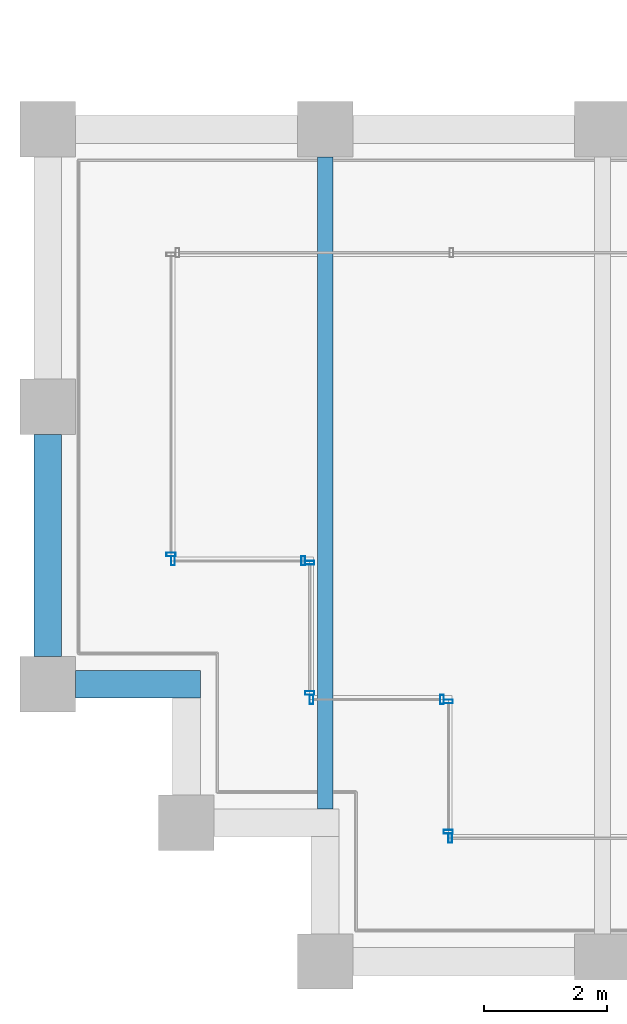
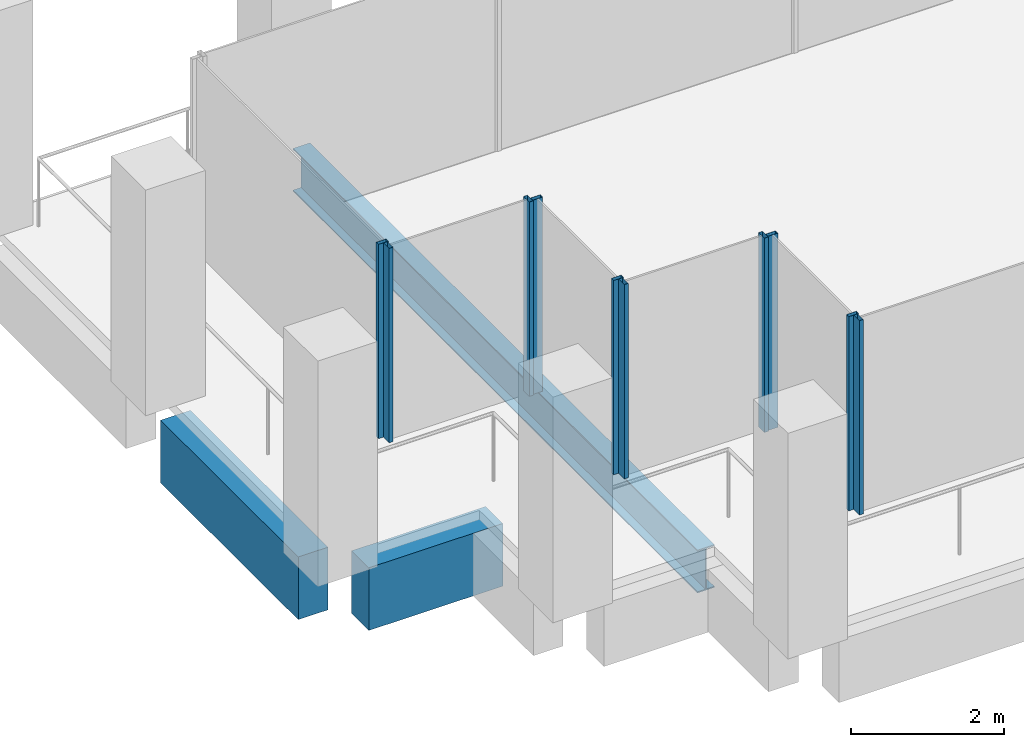
# One storey, part 2 of 40: 10 members, 3 beams, 6 elements without a shape of their own.
"""IFC4 building model written with IfcOpenShell, lengths in metres."""

from ifc_helpers import new_model, si_unit, direction, frame, origin, origin_2d, place, context, subcontext, project, spatial, rectangle, hollow_rectangle, i_section, extrude, material, material_profile, profile_set, type_object, element, aggregate, save


model = new_model("IFC4")

# Units and contexts
model_context = context("Model", 3, precision=1e-05, world=origin(), true_north=direction((0.0, 1.0)))
body_context = subcontext(model_context, "Body", "Model", "MODEL_VIEW")
ifc_project = project(units=[si_unit("LENGTHUNIT", "METRE"), si_unit("AREAUNIT", "SQUARE_METRE"), si_unit("VOLUMEUNIT", "CUBIC_METRE"), si_unit("PLANEANGLEUNIT", "RADIAN"), si_unit("MASSUNIT", "GRAM", prefix="KILO")], contexts=[model_context])

# Site, building, storey
site_placement = place(None, origin())
site = spatial("IfcSite", under=ifc_project, at=site_placement, CompositionType="ELEMENT")
building_placement = place(site_placement, origin())
building = spatial("IfcBuilding", under=site, at=building_placement, Name="Altepetl Exchange Towers", CompositionType="ELEMENT")
storey_placement = place(building_placement, frame((0.0, 0.0, 187.0)))
storey = spatial("IfcBuildingStorey", under=building, at=storey_placement, Name="L47", CompositionType="ELEMENT", Elevation=187.0)

# Beam
ifc_material_1 = material(Name="Steel S355", Category="steel")
ifc_material_profile_1 = material_profile(ifc_material_1, i_section(OverallWidth=0.25390625, OverallDepth=0.68408203125, WebThickness=0.012451171875, FlangeThickness=0.018798828125, at=origin_2d()), Name="W27X94")
ifc_profile_set_1 = profile_set([ifc_material_profile_1], Name="Steel S355")
beam_type_1 = type_object("IfcBeamType", Name="Floor beam W27X94", PredefinedType="BEAM", material=ifc_profile_set_1)
beam_1_placement = place(storey_placement, frame((31.5, 29.47509765625, -0.491943359375), z_axis=(0.0, 1.0, 0.0), x_axis=(-1.0, 0.0, 0.0)))
element("IfcBeam", 1, at=beam_1_placement, inside=storey, type_object=beam_type_1, Name="bm:A:L47:012", PredefinedType="BEAM", context=body_context, shape_type="SweptSolid", body=[
    extrude(i_section(OverallWidth=0.25390625, OverallDepth=0.68408203125, WebThickness=0.012451171875, FlangeThickness=0.018798828125, at=origin_2d()), origin(), (0.0, 0.0, 1.0), 10.574951171875),
])

# Curtain wall, member
ifc_material_2 = material(Name="Aluminium 6063-T6 glazing", Category="aluminium")
curtain_wall_type = type_object("IfcCurtainWallType", Name="Loggia glazing system", PredefinedType="NOTDEFINED", material=ifc_material_2)
curtain_wall_1_placement = place(storey_placement, origin())
curtain_wall_1 = element("IfcCurtainWall", 2, at=curtain_wall_1_placement, inside=storey, type_object=curtain_wall_type, Name="CW1 run", PredefinedType="NOTDEFINED")
ifc_material_3 = material(Name="Aluminium 6063-T6", Category="aluminium")
ifc_material_profile_2 = material_profile(ifc_material_3, hollow_rectangle(XDim=0.06005859375, YDim=0.14990234375, WallThickness=0.0029296875, at=origin_2d()), Name="Mullion 60x150 aluminium")
ifc_profile_set_2 = profile_set([ifc_material_profile_2], Name="Aluminium 6063-T6")
member_type = type_object("IfcMemberType", Name="Mullion 60x150 aluminium", PredefinedType="MULLION", material=ifc_profile_set_2)
member_1_placement = place(storey_placement, frame((29.0, 33.60498046875, 0.0), z_axis=(0.0, 0.0, 1.0), x_axis=(0.0, -1.0, 0.0)))
member_1 = element("IfcMember", 3, at=member_1_placement, type_object=member_type, Name="MU1 mullion", PredefinedType="MULLION", context=body_context, shape_type="SweptSolid", body=[
    extrude(hollow_rectangle(XDim=0.06005859375, YDim=0.14990234375, WallThickness=0.0029296875, at=origin_2d()), origin(), (0.0, 0.0, 1.0), 3.10009765625),
])
aggregate(curtain_wall_1, [member_1])

# Curtain wall, members
curtain_wall_2_placement = place(storey_placement, origin())
curtain_wall_2 = element("IfcCurtainWall", 4, at=curtain_wall_2_placement, inside=storey, type_object=curtain_wall_type, Name="CW1 run", PredefinedType="NOTDEFINED")
member_2_placement = place(storey_placement, frame((29.030029296875, 33.5, 0.0)))
member_2 = element("IfcMember", 5, at=member_2_placement, type_object=member_type, Name="MU1 mullion", PredefinedType="MULLION", context=body_context, shape_type="SweptSolid", body=[
    extrude(hollow_rectangle(XDim=0.06005859375, YDim=0.14990234375, WallThickness=0.0029296875, at=origin_2d()), origin(), (0.0, 0.0, 1.0), 3.10009765625),
])
member_3_placement = place(storey_placement, frame((31.14501953125, 33.5, 0.0)))
member_3 = element("IfcMember", 6, at=member_3_placement, type_object=member_type, Name="MU1 mullion", PredefinedType="MULLION", context=body_context, shape_type="SweptSolid", body=[
    extrude(hollow_rectangle(XDim=0.06005859375, YDim=0.14990234375, WallThickness=0.0029296875, at=origin_2d()), origin(), (0.0, 0.0, 1.0), 3.10009765625),
])
aggregate(curtain_wall_2, [member_2, member_3])

curtain_wall_3_placement = place(storey_placement, origin())
curtain_wall_3 = element("IfcCurtainWall", 7, at=curtain_wall_3_placement, inside=storey, type_object=curtain_wall_type, Name="CW1 run", PredefinedType="NOTDEFINED")
member_4_placement = place(storey_placement, frame((31.25, 33.469970703125, 0.0), z_axis=(0.0, 0.0, 1.0), x_axis=(0.0, -1.0, 0.0)))
member_4 = element("IfcMember", 8, at=member_4_placement, type_object=member_type, Name="MU1 mullion", PredefinedType="MULLION", context=body_context, shape_type="SweptSolid", body=[
    extrude(hollow_rectangle(XDim=0.06005859375, YDim=0.14990234375, WallThickness=0.0029296875, at=origin_2d()), origin(), (0.0, 0.0, 1.0), 3.10009765625),
])
member_5_placement = place(storey_placement, frame((31.25, 31.35498046875, 0.0), z_axis=(0.0, 0.0, 1.0), x_axis=(0.0, -1.0, 0.0)))
member_5 = element("IfcMember", 9, at=member_5_placement, type_object=member_type, Name="MU1 mullion", PredefinedType="MULLION", context=body_context, shape_type="SweptSolid", body=[
    extrude(hollow_rectangle(XDim=0.06005859375, YDim=0.14990234375, WallThickness=0.0029296875, at=origin_2d()), origin(), (0.0, 0.0, 1.0), 3.10009765625),
])
aggregate(curtain_wall_3, [member_4, member_5])

curtain_wall_4_placement = place(storey_placement, origin())
curtain_wall_4 = element("IfcCurtainWall", 10, at=curtain_wall_4_placement, inside=storey, type_object=curtain_wall_type, Name="CW1 run", PredefinedType="NOTDEFINED")
member_6_placement = place(storey_placement, frame((31.280029296875, 31.25, 0.0)))
member_6 = element("IfcMember", 11, at=member_6_placement, type_object=member_type, Name="MU1 mullion", PredefinedType="MULLION", context=body_context, shape_type="SweptSolid", body=[
    extrude(hollow_rectangle(XDim=0.06005859375, YDim=0.14990234375, WallThickness=0.0029296875, at=origin_2d()), origin(), (0.0, 0.0, 1.0), 3.10009765625),
])
member_7_placement = place(storey_placement, frame((33.39501953125, 31.25, 0.0)))
member_7 = element("IfcMember", 12, at=member_7_placement, type_object=member_type, Name="MU1 mullion", PredefinedType="MULLION", context=body_context, shape_type="SweptSolid", body=[
    extrude(hollow_rectangle(XDim=0.06005859375, YDim=0.14990234375, WallThickness=0.0029296875, at=origin_2d()), origin(), (0.0, 0.0, 1.0), 3.10009765625),
])
aggregate(curtain_wall_4, [member_6, member_7])

curtain_wall_5_placement = place(storey_placement, origin())
curtain_wall_5 = element("IfcCurtainWall", 13, at=curtain_wall_5_placement, inside=storey, type_object=curtain_wall_type, Name="CW1 run", PredefinedType="NOTDEFINED")
member_8_placement = place(storey_placement, frame((33.5, 31.219970703125, 0.0), z_axis=(0.0, 0.0, 1.0), x_axis=(0.0, -1.0, 0.0)))
member_8 = element("IfcMember", 14, at=member_8_placement, type_object=member_type, Name="MU1 mullion", PredefinedType="MULLION", context=body_context, shape_type="SweptSolid", body=[
    extrude(hollow_rectangle(XDim=0.06005859375, YDim=0.14990234375, WallThickness=0.0029296875, at=origin_2d()), origin(), (0.0, 0.0, 1.0), 3.10009765625),
])
member_9_placement = place(storey_placement, frame((33.5, 29.10498046875, 0.0), z_axis=(0.0, 0.0, 1.0), x_axis=(0.0, -1.0, 0.0)))
member_9 = element("IfcMember", 15, at=member_9_placement, type_object=member_type, Name="MU1 mullion", PredefinedType="MULLION", context=body_context, shape_type="SweptSolid", body=[
    extrude(hollow_rectangle(XDim=0.06005859375, YDim=0.14990234375, WallThickness=0.0029296875, at=origin_2d()), origin(), (0.0, 0.0, 1.0), 3.10009765625),
])
aggregate(curtain_wall_5, [member_8, member_9])

# Curtain wall, member
curtain_wall_6_placement = place(storey_placement, origin())
curtain_wall_6 = element("IfcCurtainWall", 16, at=curtain_wall_6_placement, inside=storey, type_object=curtain_wall_type, Name="CW1 run", PredefinedType="NOTDEFINED")
member_10_placement = place(storey_placement, frame((33.530029296875, 29.0, 0.0)))
member_10 = element("IfcMember", 17, at=member_10_placement, type_object=member_type, Name="MU1 mullion", PredefinedType="MULLION", context=body_context, shape_type="SweptSolid", body=[
    extrude(hollow_rectangle(XDim=0.06005859375, YDim=0.14990234375, WallThickness=0.0029296875, at=origin_2d()), origin(), (0.0, 0.0, 1.0), 3.10009765625),
])
aggregate(curtain_wall_6, [member_10])

# Beams
ifc_material_4 = material(Name="Concrete C50/60 precast with cantera blanca facing", Category="concrete")
ifc_material_profile_3 = material_profile(ifc_material_4, rectangle(XDim=0.449951171875, YDim=1.0, at=origin_2d()), Name="450 x 1000")
ifc_profile_set_3 = profile_set([ifc_material_profile_3], Name="Concrete C50/60 precast with cantera blanca facing")
beam_type_2 = type_object("IfcBeamType", Name="Spandrel beam 450x1000 cantera blanca", PredefinedType="SPANDREL", material=ifc_profile_set_3)
beam_2_placement = place(storey_placement, frame((27.0, 35.550048828125, -0.64990234375), z_axis=(0.0, -1.0, 0.0), x_axis=(1.0, 0.0, 0.0)))
element("IfcBeam", 18, at=beam_2_placement, inside=storey, type_object=beam_type_2, Name="sp:A:L47:037", PredefinedType="SPANDREL", context=body_context, shape_type="SweptSolid", body=[
    extrude(rectangle(XDim=0.449951171875, YDim=1.0, at=origin_2d()), origin(), (0.0, 0.0, 1.0), 3.60009765625),
])
beam_3_placement = place(storey_placement, frame((27.449951171875, 31.5, -0.64990234375), z_axis=(1.0, 0.0, 0.0), x_axis=(0.0, 1.0, 0.0)))
element("IfcBeam", 19, at=beam_3_placement, inside=storey, type_object=beam_type_2, Name="sp:A:L47:038", PredefinedType="SPANDREL", context=body_context, shape_type="SweptSolid", body=[
    extrude(rectangle(XDim=0.449951171875, YDim=1.0, at=origin_2d()), origin(), (0.0, 0.0, 1.0), 2.025146484375),
])

save(model, "model.ifc")
